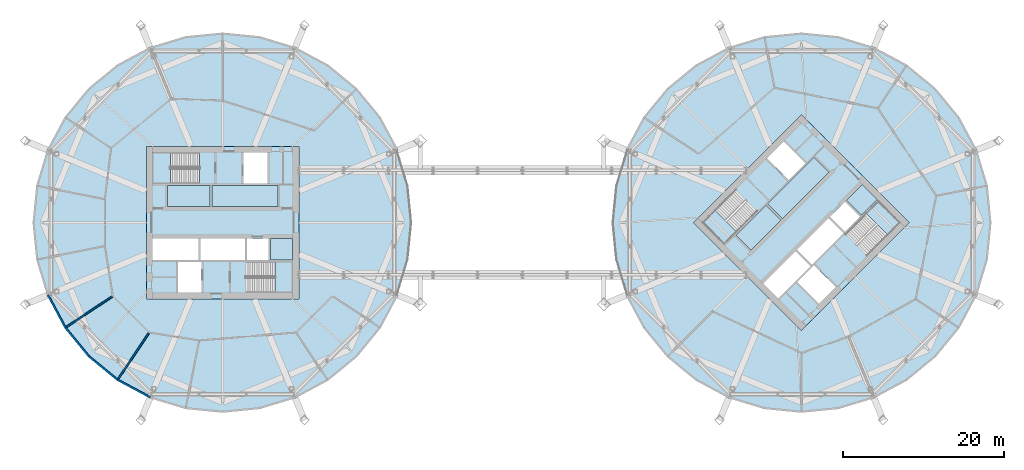
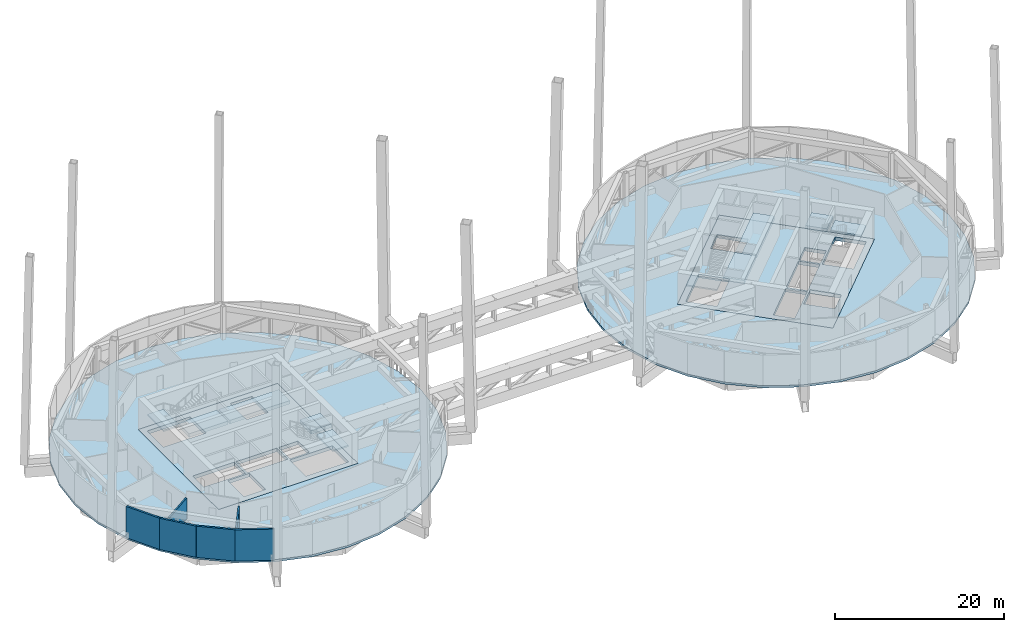
# One storey, part 12 of 19: 14 slabs, 6 walls, 4 elements without a shape of their own.
"""IFC4 building model written with IfcOpenShell, lengths in metres."""

from ifc_helpers import new_model, si_unit, direction, frame, frame_2d, origin, place, context, subcontext, project, spatial, polyline, rectangle, outline, extrude, material, layer, layer_set, type_object, element, aggregate, save


model = new_model("IFC4")

# Units and contexts
model_context = context("Model", 3, precision=1e-05, world=origin(), true_north=direction((0.0, 1.0)))
body_context = subcontext(model_context, "Body", "Model", "MODEL_VIEW")
ifc_project = project(units=[si_unit("LENGTHUNIT", "METRE"), si_unit("AREAUNIT", "SQUARE_METRE"), si_unit("VOLUMEUNIT", "CUBIC_METRE"), si_unit("PLANEANGLEUNIT", "RADIAN"), si_unit("MASSUNIT", "GRAM", prefix="KILO")], contexts=[model_context])

# Site, building, storey
site_placement = place(None, origin())
site = spatial("IfcSite", under=ifc_project, at=site_placement, CompositionType="ELEMENT")
building_placement = place(site_placement, origin())
building = spatial("IfcBuilding", under=site, at=building_placement, Name="Ogive Gate Towers", CompositionType="ELEMENT")
storey_placement = place(building_placement, frame((0.0, 0.0, 130.800048828125)))
storey = spatial("IfcBuildingStorey", under=building, at=storey_placement, Name="L31", CompositionType="ELEMENT", Elevation=130.800048828125)

# Slabs
ifc_material_1 = material(Name="Concrete C40/50", Category="concrete")
ifc_layer_1 = layer(ifc_material_1, 0.5)
ifc_layer_set_1 = layer_set([ifc_layer_1], Name="Core transfer slab C40/50 500 mm")
slab_type_1 = type_object("IfcSlabType", Name="Core transfer slab C40/50 500 mm", PredefinedType="FLOOR", material=ifc_layer_set_1)
slab_1_placement = place(storey_placement, frame((0.0, 0.0, -0.5)))
element("IfcSlab", 1, at=slab_1_placement, inside=storey, type_object=slab_type_1, Name="T1 L31 core slab", PredefinedType="FLOOR", context=body_context, shape_type="SweptSolid", body=[
    extrude(outline(polyline([(-26.5, -9.5), (-45.5, -9.5), (-45.5, 9.5), (-26.5, 9.5), (-26.5, -9.5)]), holes=[polyline([(-44.699951171875, -2.0), (-44.699951171875, -4.625), (-39.02490234375, -4.625), (-39.02490234375, -2.0), (-44.699951171875, -2.0)]), polyline([(-33.22509765625, -2.0), (-38.77490234375, -2.0), (-38.77490234375, -4.625), (-33.22509765625, -4.625), (-33.22509765625, -2.0)]), polyline([(-30.324951171875, -4.625), (-30.324951171875, -2.0), (-32.97509765625, -2.0), (-32.97509765625, -4.625), (-30.324951171875, -4.625)]), polyline([(-33.375, 4.875), (-30.425048828125, 4.875), (-30.425048828125, 8.699951171875), (-33.375, 8.699951171875), (-33.375, 4.875)]), polyline([(-41.574951171875, -4.875), (-41.574951171875, -8.699951171875), (-38.625, -8.699951171875), (-38.625, -4.875), (-41.574951171875, -4.875)]), polyline([(-44.699951171875, 4.875), (-38.885009765625, 4.875), (-38.885009765625, 8.699951171875), (-44.699951171875, 8.699951171875), (-44.699951171875, 4.875)]), polyline([(-27.300048828125, -8.699951171875), (-27.300048828125, -4.875), (-33.114990234375, -4.875), (-33.114990234375, -8.699951171875), (-27.300048828125, -8.699951171875)])]), origin(), (0.0, 0.0, 1.0), 0.5),
])
slab_2_placement = place(storey_placement, frame((0.0, 0.0, -0.5)))
element("IfcSlab", 2, at=slab_2_placement, inside=storey, type_object=slab_type_1, Name="T2 L31 core slab", PredefinedType="FLOOR", context=body_context, shape_type="SweptSolid", body=[
    extrude(outline(polyline([(49.43505859375, 0.0), (36.0, -13.43505859375), (22.56494140625, 0.0), (36.0, 13.43505859375), (49.43505859375, 0.0)]), holes=[polyline([(31.262451171875, -7.56591796875), (33.118408203125, -9.422119140625), (37.13134765625, -5.409423828125), (35.275146484375, -3.55322265625), (31.262451171875, -7.56591796875)]), polyline([(39.37646484375, 0.548095703125), (35.451904296875, -3.37646484375), (37.30810546875, -5.232666015625), (41.232666015625, -1.30810546875), (39.37646484375, 0.548095703125)]), polyline([(43.283203125, 0.742431640625), (41.427001953125, 2.5986328125), (39.55322265625, 0.724853515625), (41.409423828125, -1.13134765625), (43.283203125, 0.742431640625)]), polyline([(34.408935546875, 5.30322265625), (36.4951171875, 7.389404296875), (33.790283203125, 10.093994140625), (31.704345703125, 8.008056640625), (34.408935546875, 5.30322265625)]), polyline([(35.5048828125, -7.389404296875), (38.209716796875, -10.093994140625), (40.295654296875, -8.008056640625), (37.591064453125, -5.30322265625), (35.5048828125, -7.389404296875)]), polyline([(26.40087890625, -2.70458984375), (30.512939453125, 1.406982421875), (27.80810546875, 4.11181640625), (23.6962890625, 0.0), (26.40087890625, -2.70458984375)]), polyline([(48.3037109375, 0.0), (45.59912109375, 2.70458984375), (41.487060546875, -1.406982421875), (44.19189453125, -4.11181640625), (48.3037109375, 0.0)])]), origin(), (0.0, 0.0, 1.0), 0.5),
])
ifc_material_2 = material(Name="Concrete C35/45", Category="concrete")
ifc_layer_2 = layer(ifc_material_2, 0.300048828125)
ifc_layer_set_2 = layer_set([ifc_layer_2], Name="Floor slab 300")
slab_type_2 = type_object("IfcSlabType", Name="Floor slab 300", PredefinedType="FLOOR", material=ifc_layer_set_2)
slab_3_placement = place(storey_placement, frame((0.0, 0.0, -0.300048828125)))
element("IfcSlab", 3, at=slab_3_placement, inside=storey, type_object=slab_type_2, Name="T1/L31/SSL001", PredefinedType="FLOOR", context=body_context, shape_type="SweptSolid", body=[
    extrude(outline(polyline([(-12.902587890625, -4.594482421875), (-12.449951171875, 0.0), (-12.902587890625, 4.594482421875), (-14.24267578125, 9.01220703125), (-16.4189453125, 13.083740234375), (-19.34765625, 16.65234375), (-22.916259765625, 19.5810546875), (-26.98779296875, 21.75732421875), (-31.405517578125, 23.097412109375), (-36.0, 23.550048828125), (-40.594482421875, 23.097412109375), (-45.01220703125, 21.75732421875), (-49.083740234375, 19.5810546875), (-52.65234375, 16.65234375), (-55.5810546875, 13.083740234375), (-57.75732421875, 9.01220703125), (-59.097412109375, 4.594482421875), (-59.550048828125, 0.0), (-59.097412109375, -4.594482421875), (-57.75732421875, -9.01220703125), (-55.5810546875, -13.083740234375), (-52.65234375, -16.65234375), (-49.083740234375, -19.5810546875), (-45.01220703125, -21.75732421875), (-40.594482421875, -23.097412109375), (-36.0, -23.550048828125), (-31.405517578125, -23.097412109375), (-26.98779296875, -21.75732421875), (-22.916259765625, -19.5810546875), (-19.34765625, -16.65234375), (-16.4189453125, -13.083740234375), (-14.24267578125, -9.01220703125), (-12.902587890625, -4.594482421875)]), holes=[polyline([(-26.5, -9.5), (-45.5, -9.5), (-45.5, 9.5), (-26.5, 9.5), (-26.5, -9.5)])]), origin(), (0.0, 0.0, 1.0), 0.300048828125),
])
slab_4_placement = place(storey_placement, frame((0.0, 0.0, -0.300048828125)))
element("IfcSlab", 4, at=slab_4_placement, inside=storey, type_object=slab_type_2, Name="T2/L31/SSL001", PredefinedType="FLOOR", context=body_context, shape_type="SweptSolid", body=[
    extrude(outline(polyline([(59.097412109375, -4.594482421875), (59.550048828125, 0.0), (59.097412109375, 4.594482421875), (57.75732421875, 9.01220703125), (55.5810546875, 13.083740234375), (52.65234375, 16.65234375), (49.083740234375, 19.5810546875), (45.01220703125, 21.75732421875), (40.594482421875, 23.097412109375), (36.0, 23.550048828125), (31.405517578125, 23.097412109375), (26.98779296875, 21.75732421875), (22.916259765625, 19.5810546875), (19.34765625, 16.65234375), (16.4189453125, 13.083740234375), (14.24267578125, 9.01220703125), (12.902587890625, 4.594482421875), (12.449951171875, 0.0), (12.902587890625, -4.594482421875), (14.24267578125, -9.01220703125), (16.4189453125, -13.083740234375), (19.34765625, -16.65234375), (22.916259765625, -19.5810546875), (26.98779296875, -21.75732421875), (31.405517578125, -23.097412109375), (36.0, -23.550048828125), (40.594482421875, -23.097412109375), (45.01220703125, -21.75732421875), (49.083740234375, -19.5810546875), (52.65234375, -16.65234375), (55.5810546875, -13.083740234375), (57.75732421875, -9.01220703125), (59.097412109375, -4.594482421875)]), holes=[polyline([(49.43505859375, 0.0), (36.0, -13.43505859375), (22.56494140625, 0.0), (36.0, 13.43505859375), (49.43505859375, 0.0)])]), origin(), (0.0, 0.0, 1.0), 0.300048828125),
])
ifc_layer_3 = layer(ifc_material_1, 0.5)
ifc_layer_set_3 = layer_set([ifc_layer_3], Name="Lift pit floor C40/50 500 mm")
slab_type_3 = type_object("IfcSlabType", Name="Lift pit floor C40/50 500 mm", PredefinedType="BASESLAB", material=ifc_layer_set_3)
slab_5_placement = place(storey_placement, frame((0.0, 0.0, 2.5)))
element("IfcSlab", 5, at=slab_5_placement, inside=storey, type_object=slab_type_3, Name="T1 lift pit floor BC", PredefinedType="BASESLAB", context=body_context, shape_type="SweptSolid", body=[
    extrude(outline(polyline([(-30.074951171875, -4.625), (-27.300048828125, -4.625), (-27.300048828125, -2.0), (-30.074951171875, -2.0), (-30.074951171875, -4.625)])), origin(), (0.0, 0.0, 1.0), 0.5),
])
slab_6_placement = place(storey_placement, frame((0.0, 0.0, 2.5)))
element("IfcSlab", 6, at=slab_6_placement, inside=storey, type_object=slab_type_3, Name="T1 lift pit floor BN1", PredefinedType="BASESLAB", context=body_context, shape_type="SweptSolid", body=[
    extrude(outline(polyline([(-42.875, 2.0), (-37.574951171875, 2.0), (-37.574951171875, 4.625), (-42.875, 4.625), (-42.875, 2.0)])), origin(), (0.0, 0.0, 1.0), 0.5),
])
slab_7_placement = place(storey_placement, frame((0.0, 0.0, 2.5)))
element("IfcSlab", 7, at=slab_7_placement, inside=storey, type_object=slab_type_3, Name="T1 lift pit floor BN2", PredefinedType="BASESLAB", context=body_context, shape_type="SweptSolid", body=[
    extrude(outline(polyline([(-37.324951171875, 2.0), (-29.125, 2.0), (-29.125, 4.625), (-37.324951171875, 4.625), (-37.324951171875, 2.0)])), origin(), (0.0, 0.0, 1.0), 0.5),
])
slab_8_placement = place(storey_placement, frame((0.0, 0.0, 2.5)))
element("IfcSlab", 8, at=slab_8_placement, inside=storey, type_object=slab_type_3, Name="T2 lift pit floor BC", PredefinedType="BASESLAB", context=body_context, shape_type="SweptSolid", body=[
    extrude(outline(polyline([(43.4599609375, 0.919189453125), (45.422119140625, 2.881591796875), (43.56591796875, 4.737548828125), (41.603759765625, 2.775390625), (43.4599609375, 0.919189453125)])), origin(), (0.0, 0.0, 1.0), 0.5),
])
slab_9_placement = place(storey_placement, frame((0.0, 0.0, 2.5)))
element("IfcSlab", 9, at=slab_9_placement, inside=storey, type_object=slab_type_3, Name="T2 lift pit floor BN1", PredefinedType="BASESLAB", context=body_context, shape_type="SweptSolid", body=[
    extrude(outline(polyline([(29.724365234375, -3.447021484375), (33.47216796875, 0.300537109375), (31.615966796875, 2.15673828125), (27.868408203125, -1.591064453125), (29.724365234375, -3.447021484375)])), origin(), (0.0, 0.0, 1.0), 0.5),
])
slab_10_placement = place(storey_placement, frame((0.0, 0.0, 2.5)))
element("IfcSlab", 10, at=slab_10_placement, inside=storey, type_object=slab_type_3, Name="T2 lift pit floor BN2", PredefinedType="BASESLAB", context=body_context, shape_type="SweptSolid", body=[
    extrude(outline(polyline([(33.64892578125, 0.477294921875), (39.447021484375, 6.275634765625), (37.591064453125, 8.131591796875), (31.792724609375, 2.33349609375), (33.64892578125, 0.477294921875)])), origin(), (0.0, 0.0, 1.0), 0.5),
])

# Stair, slab
stair_type = type_object("IfcStairType", Name="Escape stair 1840 wide", PredefinedType="HALF_TURN_STAIR", material=ifc_material_1)
stair_1_placement = place(storey_placement, origin())
stair_1 = element("IfcStair", 11, at=stair_1_placement, inside=storey, type_object=stair_type, Name="L31 Escape stair 1", PredefinedType="HALF_TURN_STAIR")
ifc_layer_4 = layer(ifc_material_1, 0.199951171875)
ifc_layer_set_4 = layer_set([ifc_layer_4], Name="Stair landing 200 mm")
slab_type_4 = type_object("IfcSlabType", Name="Stair landing 200 mm", PredefinedType="LANDING", material=ifc_layer_set_4)
slab_11_placement = place(storey_placement, frame((0.0, 0.0, 2.199951171875)))
slab_11 = element("IfcSlab", 12, at=slab_11_placement, type_object=slab_type_4, Name="ST1 landing 1", PredefinedType="LANDING", context=body_context, shape_type="SweptSolid", body=[
    extrude(outline(polyline([(-42.5048828125, 8.699951171875), (-44.699951171875, 8.699951171875), (-44.699951171875, 4.875), (-42.5048828125, 4.875), (-42.5048828125, 8.699951171875)])), origin(), (0.0, 0.0, 1.0), 0.199951171875),
])
aggregate(stair_1, [slab_11])

stair_2_placement = place(storey_placement, origin())
stair_2 = element("IfcStair", 13, at=stair_2_placement, inside=storey, type_object=stair_type, Name="L31 Escape stair 2", PredefinedType="HALF_TURN_STAIR")
slab_12_placement = place(storey_placement, frame((0.0, 0.0, 2.199951171875)))
slab_12 = element("IfcSlab", 14, at=slab_12_placement, type_object=slab_type_4, Name="ST2 landing 1", PredefinedType="LANDING", context=body_context, shape_type="SweptSolid", body=[
    extrude(outline(polyline([(-29.4951171875, -8.699951171875), (-27.300048828125, -8.699951171875), (-27.300048828125, -4.875), (-29.4951171875, -4.875), (-29.4951171875, -8.699951171875)])), origin(), (0.0, 0.0, 1.0), 0.199951171875),
])
aggregate(stair_2, [slab_12])

stair_3_placement = place(storey_placement, origin())
stair_3 = element("IfcStair", 15, at=stair_3_placement, inside=storey, type_object=stair_type, Name="L31 Escape stair 1", PredefinedType="HALF_TURN_STAIR")
slab_13_placement = place(storey_placement, frame((0.0, 0.0, 2.199951171875)))
slab_13 = element("IfcSlab", 16, at=slab_13_placement, type_object=slab_type_4, Name="ST1 landing 1", PredefinedType="LANDING", context=body_context, shape_type="SweptSolid", body=[
    extrude(outline(polyline([(25.24853515625, 1.552001953125), (23.6962890625, 0.0), (26.401123046875, -2.70458984375), (27.953125, -1.152587890625), (25.24853515625, 1.552001953125)])), origin(), (0.0, 0.0, 1.0), 0.199951171875),
])
aggregate(stair_3, [slab_13])

stair_4_placement = place(storey_placement, origin())
stair_4 = element("IfcStair", 17, at=stair_4_placement, inside=storey, type_object=stair_type, Name="L31 Escape stair 2", PredefinedType="HALF_TURN_STAIR")
slab_14_placement = place(storey_placement, frame((0.0, 0.0, 2.199951171875)))
slab_14 = element("IfcSlab", 18, at=slab_14_placement, type_object=slab_type_4, Name="ST2 landing 1", PredefinedType="LANDING", context=body_context, shape_type="SweptSolid", body=[
    extrude(outline(polyline([(46.75146484375, -1.552001953125), (48.3037109375, 0.0), (45.598876953125, 2.70458984375), (44.046875, 1.152587890625), (46.75146484375, -1.552001953125)])), origin(), (0.0, 0.0, 1.0), 0.199951171875),
])
aggregate(stair_4, [slab_14])

# Walls
ifc_material_3 = material(Name="Fire-rated block compartment wall")
ifc_layer_5 = layer(ifc_material_3, 0.199951171875)
ifc_layer_set_5 = layer_set([ifc_layer_5], Name="Compartment wall 200")
wall_type_1 = type_object("IfcWallType", Name="Compartment wall 200", PredefinedType="PARTITIONING", material=ifc_layer_set_5)
for number, where, z_axis, x_axis, name in (
    (19, (-55.580810546875, -13.08349609375, 0.0), (0.0, 0.0, 1.0), (0.831465611, 0.555576221345, 0.0), "Partition T1-L31-007"),
    (20, (-49.08349609375, -19.580810546875, 0.0), (0.0, 0.0, 1.0), (0.555576221345, 0.831465611, 0.0), "Partition T1-L31-008"),
):
    element("IfcWall", number, at=place(storey_placement, frame(where, z_axis=z_axis, x_axis=x_axis)), inside=storey, type_object=wall_type_1, Name=name, PredefinedType="PARTITIONING", context=body_context, shape_type="SweptSolid", body=[
        extrude(rectangle(XDim=7.0078125, YDim=0.199951171875, at=frame_2d((3.50390625, 0.0))), origin(), (0.0, 0.0, 1.0), 3.0),
    ])
ifc_material_4 = material(Name="Pale metal aluminium louvre", Category="aluminium")
ifc_layer_6 = layer(ifc_material_4, 0.25)
ifc_layer_set_6 = layer_set([ifc_layer_6], Name="Plant louvre wall")
wall_type_2 = type_object("IfcWallType", Name="Plant louvre wall", PredefinedType="SOLIDWALL", material=ifc_layer_set_6)
wall_1_placement = place(storey_placement, frame((-57.734130859375, -9.002685546875, 0.0), z_axis=(0.0, 0.0, 1.0), x_axis=(0.471401410414, -0.881918766248, 0.0)))
element("IfcWall", 21, at=wall_1_placement, inside=storey, type_object=wall_type_2, Name="Plant louvre wall", PredefinedType="SOLIDWALL", context=body_context, shape_type="SweptSolid", body=[
    extrude(rectangle(XDim=4.611328125, YDim=0.25, at=frame_2d((2.3056640625, 0.0))), origin(), (0.0, 0.0, 1.0), 4.5),
])
for number, where, z_axis, x_axis, name in (
    (22, (-55.560302734375, -13.069580078125, 0.0), (0.0, 0.0, 1.0), (0.634407464911, -0.772998815306, 0.0), "Plant louvre wall"),
    (23, (-52.634521484375, -16.634521484375, 0.0), (0.0, 0.0, 1.0), (0.772998815306, -0.634407464911, 0.0), "Plant louvre wall"),
):
    element("IfcWall", number, at=place(storey_placement, frame(where, z_axis=z_axis, x_axis=x_axis)), inside=storey, type_object=wall_type_2, Name=name, PredefinedType="SOLIDWALL", context=body_context, shape_type="SweptSolid", body=[
        extrude(rectangle(XDim=4.61181640625, YDim=0.25, at=frame_2d((2.305908203125, 0.0))), origin(), (0.0, 0.0, 1.0), 4.5),
    ])
wall_2_placement = place(storey_placement, frame((-49.069580078125, -19.560302734375, 0.0), z_axis=(0.0, 0.0, 1.0), x_axis=(0.881918766248, -0.471401410414, 0.0)))
element("IfcWall", 24, at=wall_2_placement, inside=storey, type_object=wall_type_2, Name="Plant louvre wall", PredefinedType="SOLIDWALL", context=body_context, shape_type="SweptSolid", body=[
    extrude(rectangle(XDim=4.611328125, YDim=0.25, at=frame_2d((2.3056640625, 0.0))), origin(), (0.0, 0.0, 1.0), 4.5),
])

save(model, "model.ifc")
